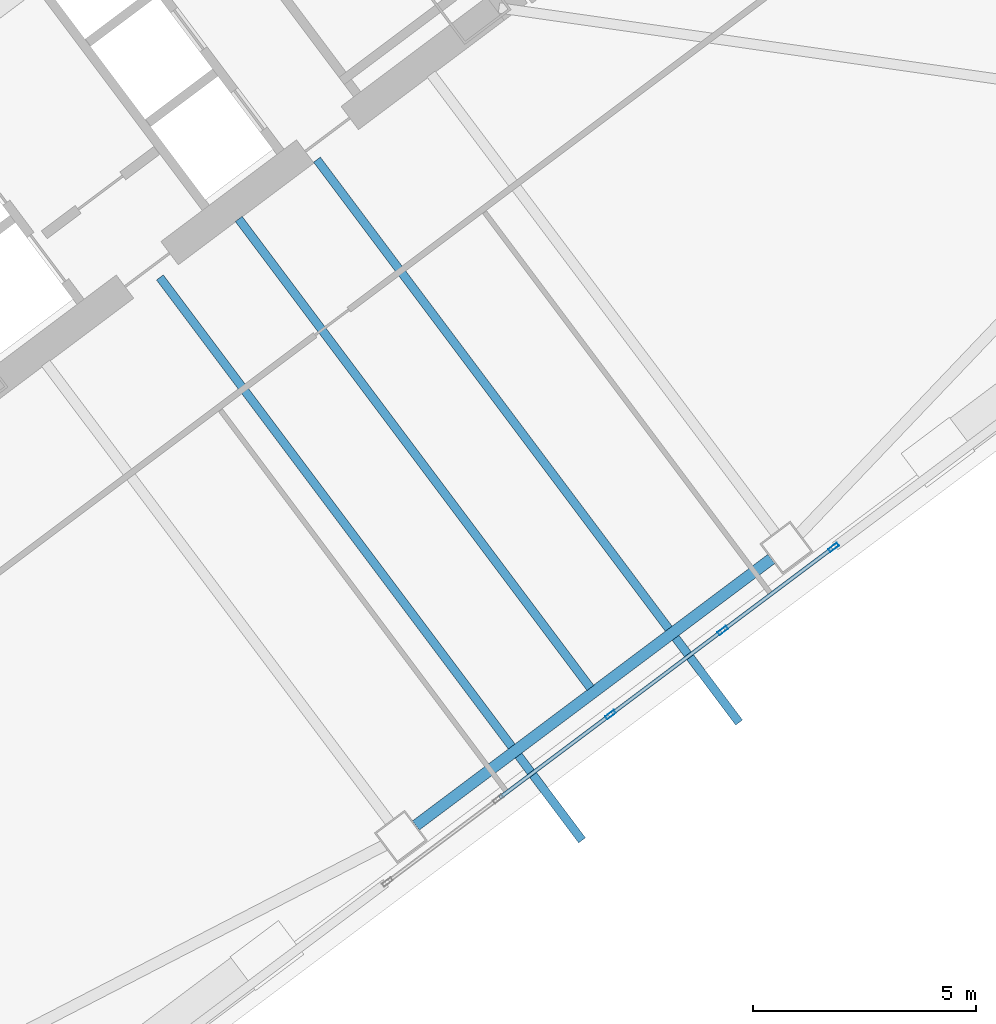
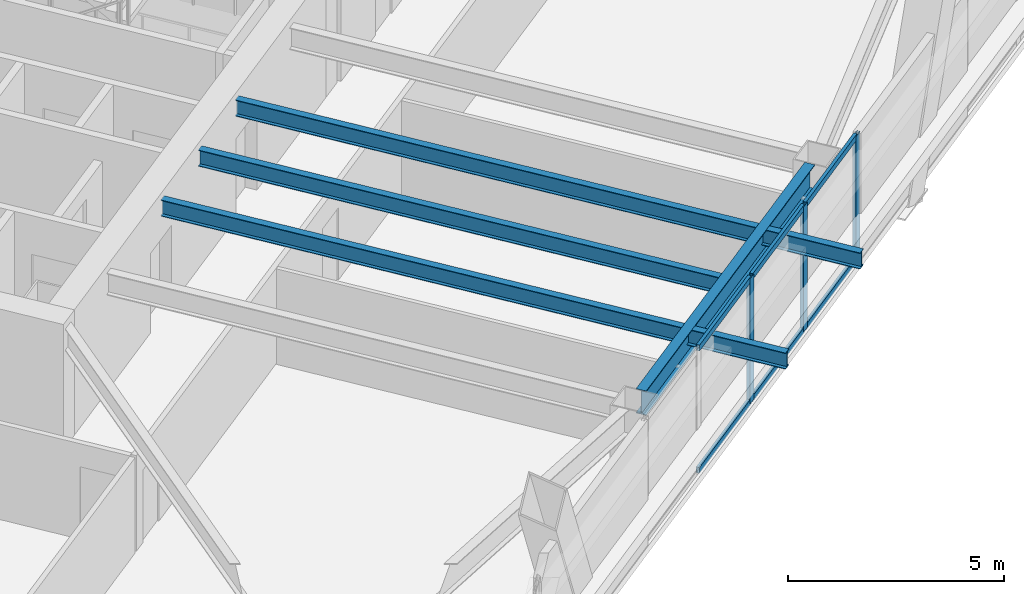
# One storey, part 43 of 75: 9 members, 4 beams, 1 element without a shape of its own.
"""IFC4 building model written with IfcOpenShell, lengths in metres."""

from ifc_helpers import new_model, si_unit, direction, frame, origin, origin_2d, place, context, subcontext, project, spatial, hollow_rectangle, i_section, extrude, material, material_profile, profile_set, type_object, element, aggregate, save


model = new_model("IFC4")

# Units and contexts
model_context = context("Model", 3, precision=1e-05, world=origin(), true_north=direction((0.0, 1.0)))
body_context = subcontext(model_context, "Body", "Model", "MODEL_VIEW")
ifc_project = project(units=[si_unit("LENGTHUNIT", "METRE"), si_unit("AREAUNIT", "SQUARE_METRE"), si_unit("VOLUMEUNIT", "CUBIC_METRE"), si_unit("PLANEANGLEUNIT", "RADIAN"), si_unit("MASSUNIT", "GRAM", prefix="KILO")], contexts=[model_context])

# Site, building, storey
site_placement = place(None, origin())
site = spatial("IfcSite", under=ifc_project, at=site_placement, CompositionType="ELEMENT")
building_placement = place(site_placement, origin())
building = spatial("IfcBuilding", under=site, at=building_placement, Name="Tashvorn Skyway Center", CompositionType="ELEMENT")
storey_placement = place(building_placement, frame((0.0, 0.0, 45.89990234375)))
storey = spatial("IfcBuildingStorey", under=building, at=storey_placement, Name="L11", CompositionType="ELEMENT", Elevation=45.89990234375)

# Beams
ifc_material_1 = material(Name="Steel ASTM A992 Grade 50", Category="steel")
ifc_material_profile_1 = material_profile(ifc_material_1, i_section(OverallWidth=0.19091796875, OverallDepth=0.4599609375, WebThickness=0.010009765625, FlangeThickness=0.01611328125, at=origin_2d()), Name="W18X55")
ifc_profile_set_1 = profile_set([ifc_material_profile_1], Name="Steel ASTM A992 Grade 50")
beam_type_1 = type_object("IfcBeamType", Name="BM-JOIST-W18X55", PredefinedType="JOIST", material=ifc_profile_set_1)
beam_1_placement = place(storey_placement, frame((118.674072265625, 25.76806640625, 3.1201171875), z_axis=(0.600002972791, -0.799997770398, 0.0), x_axis=(0.799997770398, 0.600002972791, 0.0)))
element("IfcBeam", 1, at=beam_1_placement, inside=storey, type_object=beam_type_1, Name="Tower 2 L11 Secondary Composite Joist JS", PredefinedType="JOIST", context=body_context, shape_type="SweptSolid", body=[
    extrude(i_section(OverallWidth=0.19091796875, OverallDepth=0.4599609375, WebThickness=0.010009765625, FlangeThickness=0.01611328125, at=origin_2d()), origin(), (0.0, 0.0, 1.0), 13.139892578125),
])
for number, where, z_axis, x_axis, name in (
    (2, (116.907958984375, 24.4560546875, 3.1201171875), (0.600007430982, -0.79999442671, 0.0), (0.79999442671, 0.600007430982, 0.0), "Tower 2 L12 Terrace Cantilever Outlooker 1"),
    (3, (120.427978515625, 27.095947265625, 3.1201171875), (0.599997522972, -0.800001857765, 0.0), (0.800001857765, 0.599997522972, 0.0), "Tower 2 L12 Terrace Cantilever Outlooker 2"),
):
    element("IfcBeam", number, at=place(storey_placement, frame(where, z_axis=z_axis, x_axis=x_axis)), inside=storey, type_object=beam_type_1, Name=name, PredefinedType="JOIST", context=body_context, shape_type="SweptSolid", body=[
        extrude(i_section(OverallWidth=0.19091796875, OverallDepth=0.4599609375, WebThickness=0.010009765625, FlangeThickness=0.01611328125, at=origin_2d()), origin(), (0.0, 0.0, 1.0), 15.77001953125),
    ])
ifc_material_profile_2 = material_profile(ifc_material_1, i_section(OverallWidth=0.256103515625, OverallDepth=0.693115234375, WebThickness=0.014404296875, FlangeThickness=0.023681640625, at=origin_2d()), Name="W27X114")
ifc_profile_set_2 = profile_set([ifc_material_profile_2], Name="Steel ASTM A992 Grade 50")
beam_type_2 = type_object("IfcBeamType", Name="BM-SPANDREL-W27X114", PredefinedType="SPANDREL", material=ifc_profile_set_2)
beam_2_placement = place(storey_placement, frame((122.64599609375, 12.172119140625, 3.003662109375), z_axis=(0.800008824351, 0.599988234018, 0.0), x_axis=(-0.599988234018, 0.800008824351, 0.0)))
element("IfcBeam", 4, at=beam_2_placement, inside=storey, type_object=beam_type_2, Name="Tower 2 L11 Spandrel Beam 02", PredefinedType="SPANDREL", context=body_context, shape_type="SweptSolid", body=[
    extrude(i_section(OverallWidth=0.256103515625, OverallDepth=0.693115234375, WebThickness=0.014404296875, FlangeThickness=0.023681640625, at=origin_2d()), origin(), (0.0, 0.0, 1.0), 9.9599609375),
])

# Curtain wall, members
ifc_material_2 = material(Name="Thermally broken bronze-anodized aluminium 6063-T6", Category="aluminium")
curtain_wall_type = type_object("IfcCurtainWallType", Name="CW-CW-Z1", PredefinedType="NOTDEFINED", material=ifc_material_2)
curtain_wall_placement = place(storey_placement, origin())
curtain_wall = element("IfcCurtainWall", 5, at=curtain_wall_placement, inside=storey, type_object=curtain_wall_type, Name="Tower 2 L11 South Unitised Curtain Wall Glazing Group 2", PredefinedType="NOTDEFINED")
ifc_material_profile_3 = material_profile(ifc_material_2, hollow_rectangle(XDim=0.0849609375, YDim=0.239990234375, WallThickness=0.0048828125, at=origin_2d()), Name="ALU-MULL-85x240")
ifc_profile_set_3 = profile_set([ifc_material_profile_3], Name="Thermally broken bronze-anodized aluminium 6063-T6")
member_type_1 = type_object("IfcMemberType", Name="CWM-CW-Z1", PredefinedType="MULLION", material=ifc_profile_set_3)
member_1_placement = place(storey_placement, frame((132.0087890625, 18.406494140625, 0.0), z_axis=(0.0, 0.0, 1.0), x_axis=(0.599997457641, -0.800001906763, 0.0)))
member_1 = element("IfcMember", 6, at=member_1_placement, type_object=member_type_1, Name="CW-Z1 mullion 1", PredefinedType="MULLION", context=body_context, shape_type="SweptSolid", body=[
    extrude(hollow_rectangle(XDim=0.0849609375, YDim=0.239990234375, WallThickness=0.0048828125, at=origin_2d()), origin(), (0.0, 0.0, 1.0), 3.550048828125),
])
member_2_placement = place(storey_placement, frame((129.525390625, 16.5439453125, 0.0), z_axis=(0.0, 0.0, 1.0), x_axis=(0.599997457641, -0.800001906763, 0.0)))
member_2 = element("IfcMember", 7, at=member_2_placement, type_object=member_type_1, Name="CW-Z1 mullion 2", PredefinedType="MULLION", context=body_context, shape_type="SweptSolid", body=[
    extrude(hollow_rectangle(XDim=0.0849609375, YDim=0.239990234375, WallThickness=0.0048828125, at=origin_2d()), origin(), (0.0, 0.0, 1.0), 3.550048828125),
])
member_3_placement = place(storey_placement, frame((127.008056640625, 14.656005859375, 0.0), z_axis=(0.0, 0.0, 1.0), x_axis=(0.599997457641, -0.800001906763, 0.0)))
member_3 = element("IfcMember", 8, at=member_3_placement, type_object=member_type_1, Name="CW-Z1 mullion 3", PredefinedType="MULLION", context=body_context, shape_type="SweptSolid", body=[
    extrude(hollow_rectangle(XDim=0.0849609375, YDim=0.239990234375, WallThickness=0.0048828125, at=origin_2d()), origin(), (0.0, 0.0, 1.0), 3.550048828125),
])
ifc_material_profile_4 = material_profile(ifc_material_2, hollow_rectangle(XDim=0.0849609375, YDim=0.1650390625, WallThickness=0.0048828125, at=origin_2d()), Name="ALU-TRAN-85x165")
ifc_profile_set_4 = profile_set([ifc_material_profile_4], Name="Thermally broken bronze-anodized aluminium 6063-T6")
member_type_2 = type_object("IfcMemberType", Name="CWT-CW-Z1", PredefinedType="USERDEFINED", material=ifc_profile_set_4)
member_4_placement = place(storey_placement, frame((131.974609375, 18.381103515625, 0.04248046875), z_axis=(-0.799990296182, -0.600012938206, 0.0), x_axis=(0.600012938206, -0.799990296182, 0.0)))
member_4 = element("IfcMember", 9, at=member_4_placement, type_object=member_type_2, Name="CW-Z1 transom 1.1", ObjectType="TRANSOM", PredefinedType="USERDEFINED", context=body_context, shape_type="SweptSolid", body=[
    extrude(hollow_rectangle(XDim=0.0849609375, YDim=0.1650390625, WallThickness=0.0048828125, at=origin_2d()), origin(), (0.0, 0.0, 1.0), 3.01904296875),
])
member_5_placement = place(storey_placement, frame((131.974609375, 18.381103515625, 3.507568359375), z_axis=(-0.799990296182, -0.600012938206, 0.0), x_axis=(0.600012938206, -0.799990296182, 0.0)))
member_5 = element("IfcMember", 10, at=member_5_placement, type_object=member_type_2, Name="CW-Z1 transom 1.2", ObjectType="TRANSOM", PredefinedType="USERDEFINED", context=body_context, shape_type="SweptSolid", body=[
    extrude(hollow_rectangle(XDim=0.0849609375, YDim=0.1650390625, WallThickness=0.0048828125, at=origin_2d()), origin(), (0.0, 0.0, 1.0), 3.01904296875),
])
member_6_placement = place(storey_placement, frame((129.491455078125, 16.5185546875, 0.04248046875), z_axis=(-0.799990431589, -0.60001275767, 0.0), x_axis=(0.60001275767, -0.799990431589, 0.0)))
member_6 = element("IfcMember", 11, at=member_6_placement, type_object=member_type_2, Name="CW-Z1 transom 2.1", ObjectType="TRANSOM", PredefinedType="USERDEFINED", context=body_context, shape_type="SweptSolid", body=[
    extrude(hollow_rectangle(XDim=0.0849609375, YDim=0.1650390625, WallThickness=0.0048828125, at=origin_2d()), origin(), (0.0, 0.0, 1.0), 3.061767578125),
])
member_7_placement = place(storey_placement, frame((129.491455078125, 16.5185546875, 3.507568359375), z_axis=(-0.799990431589, -0.60001275767, 0.0), x_axis=(0.60001275767, -0.799990431589, 0.0)))
member_7 = element("IfcMember", 12, at=member_7_placement, type_object=member_type_2, Name="CW-Z1 transom 2.2", ObjectType="TRANSOM", PredefinedType="USERDEFINED", context=body_context, shape_type="SweptSolid", body=[
    extrude(hollow_rectangle(XDim=0.0849609375, YDim=0.1650390625, WallThickness=0.0048828125, at=origin_2d()), origin(), (0.0, 0.0, 1.0), 3.061767578125),
])
member_8_placement = place(storey_placement, frame((126.97412109375, 14.630615234375, 0.04248046875), z_axis=(-0.799990431589, -0.60001275767, 0.0), x_axis=(0.60001275767, -0.799990431589, 0.0)))
member_8 = element("IfcMember", 13, at=member_8_placement, type_object=member_type_2, Name="CW-Z1 transom 3.1", ObjectType="TRANSOM", PredefinedType="USERDEFINED", context=body_context, shape_type="SweptSolid", body=[
    extrude(hollow_rectangle(XDim=0.0849609375, YDim=0.1650390625, WallThickness=0.0048828125, at=origin_2d()), origin(), (0.0, 0.0, 1.0), 3.061767578125),
])
member_9_placement = place(storey_placement, frame((126.97412109375, 14.630615234375, 3.507568359375), z_axis=(-0.799990431589, -0.60001275767, 0.0), x_axis=(0.60001275767, -0.799990431589, 0.0)))
member_9 = element("IfcMember", 14, at=member_9_placement, type_object=member_type_2, Name="CW-Z1 transom 3.2", ObjectType="TRANSOM", PredefinedType="USERDEFINED", context=body_context, shape_type="SweptSolid", body=[
    extrude(hollow_rectangle(XDim=0.0849609375, YDim=0.1650390625, WallThickness=0.0048828125, at=origin_2d()), origin(), (0.0, 0.0, 1.0), 3.061767578125),
])
aggregate(curtain_wall, [member_1, member_2, member_3, member_4, member_5, member_6, member_7, member_8, member_9])

save(model, "model.ifc")
